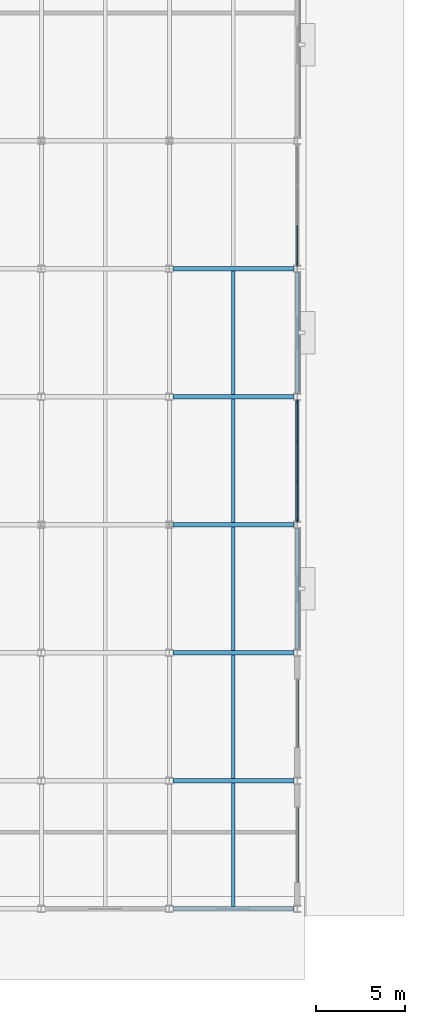
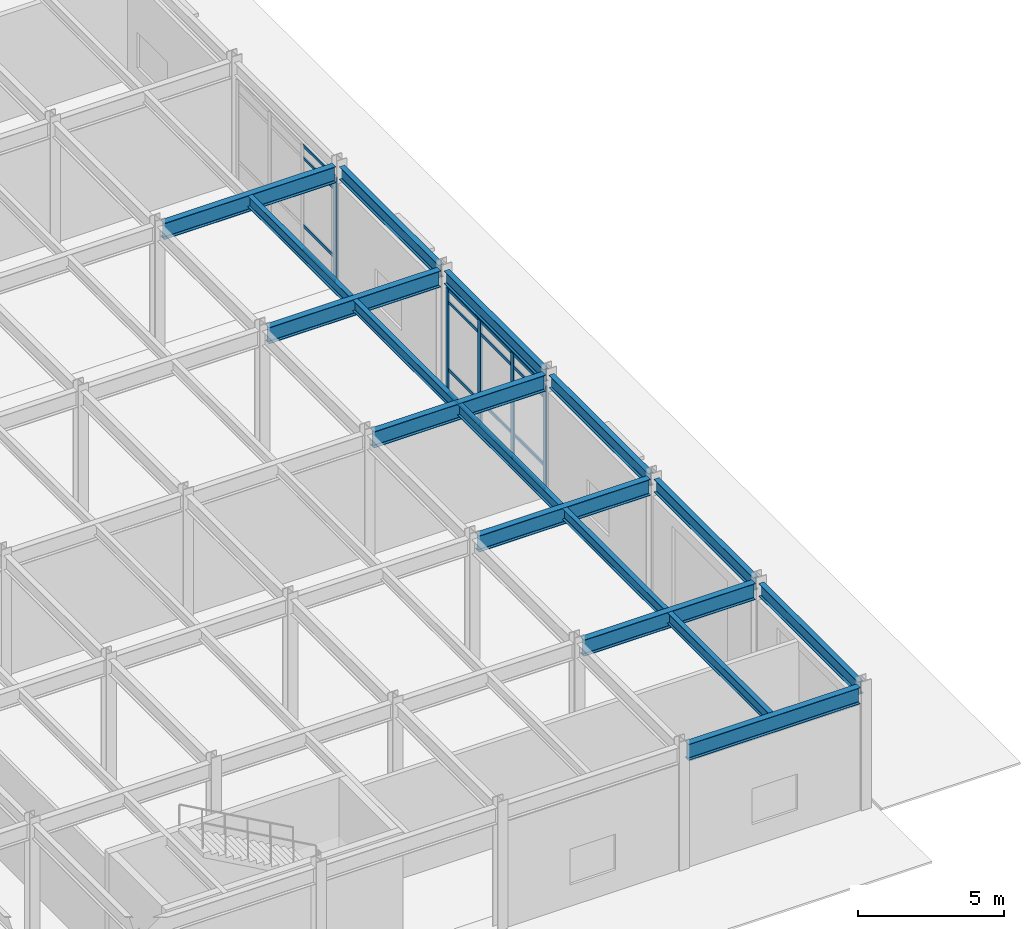
# One storey, part 47 of 104: 21 members, 16 beams, 2 elements without a shape of their own.
"""IFC4 building model written with IfcOpenShell, lengths in metres."""

from ifc_helpers import new_model, si_unit, direction, frame, origin, origin_2d, place, context, subcontext, project, spatial, rectangle, i_section, extrude, material, material_profile, profile_set, type_object, element, aggregate, save


model = new_model("IFC4")

# Units and contexts
model_context = context("Model", 3, precision=1e-05, world=origin(), true_north=direction((0.0, 1.0)))
body_context = subcontext(model_context, "Body", "Model", "MODEL_VIEW")
ifc_project = project(units=[si_unit("LENGTHUNIT", "METRE"), si_unit("AREAUNIT", "SQUARE_METRE"), si_unit("VOLUMEUNIT", "CUBIC_METRE"), si_unit("PLANEANGLEUNIT", "RADIAN"), si_unit("MASSUNIT", "GRAM", prefix="KILO")], contexts=[model_context])

# Site, building, storey
site_placement = place(None, origin())
site = spatial("IfcSite", under=ifc_project, at=site_placement, CompositionType="ELEMENT")
building_placement = place(site_placement, origin())
building = spatial("IfcBuilding", under=site, at=building_placement, Name="Vaelcorin Mobility Hub", CompositionType="ELEMENT")
storey_placement = place(building_placement, origin())
storey = spatial("IfcBuildingStorey", under=building, at=storey_placement, Name="L00", CompositionType="ELEMENT", Elevation=0.0)

# Beams
ifc_material_1 = material(Name="Steel ASTM A992 Grade 50", Category="steel")
ifc_material_profile_1 = material_profile(ifc_material_1, i_section(OverallWidth=0.19091796875, OverallDepth=0.4599609375, WebThickness=0.010009765625, FlangeThickness=0.01611328125, FilletRadius=0.012939453125, at=origin_2d()), Name="W18X55")
ifc_profile_set_1 = profile_set([ifc_material_profile_1], Name="Steel ASTM A992 Grade 50")
beam_type_1 = type_object("IfcBeamType", Name="BM-W18X55", PredefinedType="JOIST", material=ifc_profile_set_1)
for number, where, z_axis, x_axis, name in (
    (1, (200.39990234375, 6.125, 4.909912109375), (0.0, 1.0, 0.0), (-1.0, 0.0, 0.0), "L00 Beam V5-L00-J-07-01-1"),
    (2, (200.39990234375, 13.324951171875, 4.909912109375), (0.0, 1.0, 0.0), (-1.0, 0.0, 0.0), "L00 Beam V5-L00-J-07-02-1"),
):
    element("IfcBeam", number, at=place(storey_placement, frame(where, z_axis=z_axis, x_axis=x_axis)), inside=storey, type_object=beam_type_1, Name=name, PredefinedType="JOIST", context=body_context, shape_type="SweptSolid", body=[
        extrude(i_section(OverallWidth=0.19091796875, OverallDepth=0.4599609375, WebThickness=0.010009765625, FlangeThickness=0.01611328125, FilletRadius=0.012939453125, at=origin_2d()), origin(), (0.0, 0.0, 1.0), 6.949951171875),
    ])
beam_1_placement = place(storey_placement, frame((200.39990234375, 20.52490234375, 4.909912109375), z_axis=(0.0, 1.0, 0.0), x_axis=(-1.0, 0.0, 0.0)))
element("IfcBeam", 3, at=beam_1_placement, inside=storey, type_object=beam_type_1, Name="L00 Beam V5-L00-J-07-03-1", PredefinedType="JOIST", context=body_context, shape_type="SweptSolid", body=[
    extrude(i_section(OverallWidth=0.19091796875, OverallDepth=0.4599609375, WebThickness=0.010009765625, FlangeThickness=0.01611328125, FilletRadius=0.012939453125, at=origin_2d()), origin(), (0.0, 0.0, 1.0), 6.9501953125),
])
for number, where, z_axis, x_axis, name in (
    (4, (200.39990234375, 27.72509765625, 4.909912109375), (0.0, 1.0, 0.0), (-1.0, 0.0, 0.0), "L00 Beam V5-L00-J-07-04-1"),
    (5, (200.39990234375, 34.925048828125, 4.909912109375), (0.0, 1.0, 0.0), (-1.0, 0.0, 0.0), "L00 Beam V5-L00-J-07-05-1"),
):
    element("IfcBeam", number, at=place(storey_placement, frame(where, z_axis=z_axis, x_axis=x_axis)), inside=storey, type_object=beam_type_1, Name=name, PredefinedType="JOIST", context=body_context, shape_type="SweptSolid", body=[
        extrude(i_section(OverallWidth=0.19091796875, OverallDepth=0.4599609375, WebThickness=0.010009765625, FlangeThickness=0.01611328125, FilletRadius=0.012939453125, at=origin_2d()), origin(), (0.0, 0.0, 1.0), 6.949951171875),
    ])
ifc_material_profile_2 = material_profile(ifc_material_1, i_section(OverallWidth=0.2099609375, OverallDepth=0.535888671875, WebThickness=0.010986328125, FlangeThickness=0.017333984375, FilletRadius=0.013916015625, at=origin_2d()), Name="W21X68")
ifc_profile_set_2 = profile_set([ifc_material_profile_2], Name="Steel ASTM A992 Grade 50")
beam_type_2 = type_object("IfcBeamType", Name="BM-W21X68", PredefinedType="SPANDREL", material=ifc_profile_set_2)
beam_2_placement = place(storey_placement, frame((204.0, 6.18798828125, 4.8720703125), z_axis=(0.0, 1.0, 0.0), x_axis=(-1.0, 0.0, 0.0)))
element("IfcBeam", 6, at=beam_2_placement, inside=storey, type_object=beam_type_2, Name="L00 Beam V5-L00-GY-08-01", PredefinedType="SPANDREL", context=body_context, shape_type="SweptSolid", body=[
    extrude(i_section(OverallWidth=0.2099609375, OverallDepth=0.535888671875, WebThickness=0.010986328125, FlangeThickness=0.017333984375, FilletRadius=0.013916015625, at=origin_2d()), origin(), (0.0, 0.0, 1.0), 6.823974609375),
])
beam_3_placement = place(storey_placement, frame((204.0, 13.387939453125, 4.8720703125), z_axis=(0.0, 1.0, 0.0), x_axis=(-1.0, 0.0, 0.0)))
element("IfcBeam", 7, at=beam_3_placement, inside=storey, type_object=beam_type_2, Name="L00 Beam V5-L00-GY-08-02", PredefinedType="SPANDREL", context=body_context, shape_type="SweptSolid", body=[
    extrude(i_section(OverallWidth=0.2099609375, OverallDepth=0.535888671875, WebThickness=0.010986328125, FlangeThickness=0.017333984375, FilletRadius=0.013916015625, at=origin_2d()), origin(), (0.0, 0.0, 1.0), 6.822998046875),
])
beam_4_placement = place(storey_placement, frame((204.0, 20.587890625, 4.8720703125), z_axis=(0.0, 1.0, 0.0), x_axis=(-1.0, 0.0, 0.0)))
element("IfcBeam", 8, at=beam_4_placement, inside=storey, type_object=beam_type_2, Name="L00 Beam V5-L00-GY-08-03", PredefinedType="SPANDREL", context=body_context, shape_type="SweptSolid", body=[
    extrude(i_section(OverallWidth=0.2099609375, OverallDepth=0.535888671875, WebThickness=0.010986328125, FlangeThickness=0.017333984375, FilletRadius=0.013916015625, at=origin_2d()), origin(), (0.0, 0.0, 1.0), 6.82421875),
])
beam_5_placement = place(storey_placement, frame((204.0, 27.7890625, 4.8720703125), z_axis=(0.0, 1.0, 0.0), x_axis=(-1.0, 0.0, 0.0)))
element("IfcBeam", 9, at=beam_5_placement, inside=storey, type_object=beam_type_2, Name="L00 Beam V5-L00-GY-08-04", PredefinedType="SPANDREL", context=body_context, shape_type="SweptSolid", body=[
    extrude(i_section(OverallWidth=0.2099609375, OverallDepth=0.535888671875, WebThickness=0.010986328125, FlangeThickness=0.017333984375, FilletRadius=0.013916015625, at=origin_2d()), origin(), (0.0, 0.0, 1.0), 6.822998046875),
])
beam_6_placement = place(storey_placement, frame((204.0, 34.988037109375, 4.8720703125), z_axis=(0.0, 1.0, 0.0), x_axis=(-1.0, 0.0, 0.0)))
element("IfcBeam", 10, at=beam_6_placement, inside=storey, type_object=beam_type_2, Name="L00 Beam V5-L00-GY-08-05", PredefinedType="SPANDREL", context=body_context, shape_type="SweptSolid", body=[
    extrude(i_section(OverallWidth=0.2099609375, OverallDepth=0.535888671875, WebThickness=0.010986328125, FlangeThickness=0.017333984375, FilletRadius=0.013916015625, at=origin_2d()), origin(), (0.0, 0.0, 1.0), 6.823974609375),
])
ifc_material_profile_3 = material_profile(ifc_material_1, i_section(OverallWidth=0.25390625, OverallDepth=0.68310546875, WebThickness=0.012451171875, FlangeThickness=0.018798828125, FilletRadius=0.01611328125, at=origin_2d()), Name="W27X94")
ifc_profile_set_3 = profile_set([ifc_material_profile_3], Name="Steel ASTM A992 Grade 50")
beam_type_3 = type_object("IfcBeamType", Name="BM-W27X94", PredefinedType="BEAM", material=ifc_profile_set_3)
for number, where, z_axis, x_axis, name in (
    (11, (196.99609375, 6.0, 4.798095703125), (1.0, 0.0, 0.0), (0.0, 1.0, 0.0), "L00 Beam V5-L00-GX-01-07"),
    (12, (196.99609375, 13.199951171875, 4.798095703125), (1.0, 0.0, 0.0), (0.0, 1.0, 0.0), "L00 Beam V5-L00-GX-02-07"),
    (13, (196.99609375, 20.39990234375, 4.798095703125), (1.0, 0.0, 0.0), (0.0, 1.0, 0.0), "L00 Beam V5-L00-GX-03-07"),
    (14, (196.99609375, 27.60009765625, 4.798095703125), (1.0, 0.0, 0.0), (0.0, 1.0, 0.0), "L00 Beam V5-L00-GX-04-07"),
    (15, (196.99609375, 34.800048828125, 4.798095703125), (1.0, 0.0, 0.0), (0.0, 1.0, 0.0), "L00 Beam V5-L00-GX-05-07"),
    (16, (196.99609375, 42.0, 4.798095703125), (1.0, 0.0, 0.0), (0.0, 1.0, 0.0), "L00 Beam V5-L00-GX-06-07"),
):
    element("IfcBeam", number, at=place(storey_placement, frame(where, z_axis=z_axis, x_axis=x_axis)), inside=storey, type_object=beam_type_3, Name=name, PredefinedType="BEAM", context=body_context, shape_type="SweptSolid", body=[
        extrude(i_section(OverallWidth=0.25390625, OverallDepth=0.68310546875, WebThickness=0.012451171875, FlangeThickness=0.018798828125, FilletRadius=0.01611328125, at=origin_2d()), origin(), (0.0, 0.0, 1.0), 6.807861328125),
    ])

# Curtain wall, members
ifc_material_2 = material(Name="Anodised aluminium 6063-T6", Category="aluminium")
curtain_wall_type = type_object("IfcCurtainWallType", Name="CW-MOB-A", PredefinedType="NOTDEFINED", material=ifc_material_2)
curtain_wall_1_placement = place(storey_placement, origin())
curtain_wall_1 = element("IfcCurtainWall", 17, at=curtain_wall_1_placement, inside=storey, type_object=curtain_wall_type, Name="L00 Curtain Wall CW-V5-L00-E-04", PredefinedType="NOTDEFINED")
ifc_material_profile_4 = material_profile(ifc_material_2, rectangle(XDim=0.070068359375, YDim=0.199951171875, at=origin_2d()), Name="ALU-M70X200")
ifc_profile_set_4 = profile_set([ifc_material_profile_4], Name="Anodised aluminium 6063-T6")
member_type_1 = type_object("IfcMemberType", Name="CW-MULL-200", PredefinedType="MULLION", material=ifc_profile_set_4)
member_1_placement = place(storey_placement, frame((204.0, 34.550048828125, 0.0), z_axis=(0.0, 0.0, 1.0), x_axis=(1.0, 0.0, 0.0)))
member_1 = element("IfcMember", 18, at=member_1_placement, type_object=member_type_1, Name="CW7 mullion 1", PredefinedType="MULLION", context=body_context, shape_type="SweptSolid", body=[
    extrude(rectangle(XDim=0.070068359375, YDim=0.199951171875, at=origin_2d()), origin(), (0.0, 0.0, 1.0), 4.44189453125),
])
member_2_placement = place(storey_placement, frame((204.0, 32.32666015625, 0.0), z_axis=(0.0, 0.0, 1.0), x_axis=(1.0, 0.0, 0.0)))
member_2 = element("IfcMember", 19, at=member_2_placement, type_object=member_type_1, Name="CW7 mullion 2", PredefinedType="MULLION", context=body_context, shape_type="SweptSolid", body=[
    extrude(rectangle(XDim=0.070068359375, YDim=0.199951171875, at=origin_2d()), origin(), (0.0, 0.0, 1.0), 4.44189453125),
])
member_3_placement = place(storey_placement, frame((204.0, 30.0732421875, 0.0), z_axis=(0.0, 0.0, 1.0), x_axis=(1.0, 0.0, 0.0)))
member_3 = element("IfcMember", 20, at=member_3_placement, type_object=member_type_1, Name="CW7 mullion 3", PredefinedType="MULLION", context=body_context, shape_type="SweptSolid", body=[
    extrude(rectangle(XDim=0.070068359375, YDim=0.199951171875, at=origin_2d()), origin(), (0.0, 0.0, 1.0), 4.44189453125),
])
member_4_placement = place(storey_placement, frame((204.0, 27.85009765625, 0.0), z_axis=(0.0, 0.0, 1.0), x_axis=(1.0, 0.0, 0.0)))
member_4 = element("IfcMember", 21, at=member_4_placement, type_object=member_type_1, Name="CW7 mullion 4", PredefinedType="MULLION", context=body_context, shape_type="SweptSolid", body=[
    extrude(rectangle(XDim=0.070068359375, YDim=0.199951171875, at=origin_2d()), origin(), (0.0, 0.0, 1.0), 4.44189453125),
])

# Curtain wall, member
curtain_wall_2_placement = place(storey_placement, origin())
curtain_wall_2 = element("IfcCurtainWall", 22, at=curtain_wall_2_placement, inside=storey, type_object=curtain_wall_type, Name="L00 Curtain Wall CW-V5-L00-E-06", PredefinedType="NOTDEFINED")
member_5_placement = place(storey_placement, frame((204.0, 42.25, 0.0), z_axis=(0.0, 0.0, 1.0), x_axis=(1.0, 0.0, 0.0)))
member_5 = element("IfcMember", 23, at=member_5_placement, type_object=member_type_1, Name="CW7 mullion 4", PredefinedType="MULLION", context=body_context, shape_type="SweptSolid", body=[
    extrude(rectangle(XDim=0.070068359375, YDim=0.199951171875, at=origin_2d()), origin(), (0.0, 0.0, 1.0), 4.44189453125),
])

# Member
ifc_material_profile_5 = material_profile(ifc_material_2, rectangle(XDim=0.06005859375, YDim=0.1201171875, at=origin_2d()), Name="ALU-T60X120")
ifc_profile_set_5 = profile_set([ifc_material_profile_5], Name="Anodised aluminium 6063-T6")
member_type_2 = type_object("IfcMemberType", Name="CW-TRAN-140", PredefinedType="USERDEFINED", material=ifc_profile_set_5)
member_6_placement = place(storey_placement, frame((204.0, 34.52001953125, 0.030029296875), z_axis=(0.0, -1.0, 0.0), x_axis=(1.0, 0.0, 0.0)))
member_6 = element("IfcMember", 24, at=member_6_placement, type_object=member_type_2, Name="CW7 transom 1.1", ObjectType="TRANSOM", PredefinedType="USERDEFINED", context=body_context, shape_type="SweptSolid", body=[
    extrude(rectangle(XDim=0.06005859375, YDim=0.1201171875, at=origin_2d()), origin(), (0.0, 0.0, 1.0), 2.163330078125),
])

member_7_placement = place(storey_placement, frame((204.0, 34.52001953125, 1.050048828125), z_axis=(0.0, -1.0, 0.0), x_axis=(1.0, 0.0, 0.0)))
member_7 = element("IfcMember", 25, at=member_7_placement, type_object=member_type_2, Name="CW7 transom 1.2", ObjectType="TRANSOM", PredefinedType="USERDEFINED", context=body_context, shape_type="SweptSolid", body=[
    extrude(rectangle(XDim=0.06005859375, YDim=0.1201171875, at=origin_2d()), origin(), (0.0, 0.0, 1.0), 2.163330078125),
])

member_8_placement = place(storey_placement, frame((204.0, 34.52001953125, 3.89208984375), z_axis=(0.0, -1.0, 0.0), x_axis=(1.0, 0.0, 0.0)))
member_8 = element("IfcMember", 26, at=member_8_placement, type_object=member_type_2, Name="CW7 transom 1.3", ObjectType="TRANSOM", PredefinedType="USERDEFINED", context=body_context, shape_type="SweptSolid", body=[
    extrude(rectangle(XDim=0.06005859375, YDim=0.1201171875, at=origin_2d()), origin(), (0.0, 0.0, 1.0), 2.163330078125),
])

member_9_placement = place(storey_placement, frame((204.0, 34.52001953125, 4.412109375), z_axis=(0.0, -1.0, 0.0), x_axis=(1.0, 0.0, 0.0)))
member_9 = element("IfcMember", 27, at=member_9_placement, type_object=member_type_2, Name="CW7 transom 1.4", ObjectType="TRANSOM", PredefinedType="USERDEFINED", context=body_context, shape_type="SweptSolid", body=[
    extrude(rectangle(XDim=0.06005859375, YDim=0.1201171875, at=origin_2d()), origin(), (0.0, 0.0, 1.0), 2.163330078125),
])

member_10_placement = place(storey_placement, frame((204.0, 32.296630859375, 0.030029296875), z_axis=(0.0, -1.0, 0.0), x_axis=(1.0, 0.0, 0.0)))
member_10 = element("IfcMember", 28, at=member_10_placement, type_object=member_type_2, Name="CW7 transom 2.1", ObjectType="TRANSOM", PredefinedType="USERDEFINED", context=body_context, shape_type="SweptSolid", body=[
    extrude(rectangle(XDim=0.06005859375, YDim=0.1201171875, at=origin_2d()), origin(), (0.0, 0.0, 1.0), 2.193359375),
])

member_11_placement = place(storey_placement, frame((204.0, 32.296630859375, 1.050048828125), z_axis=(0.0, -1.0, 0.0), x_axis=(1.0, 0.0, 0.0)))
member_11 = element("IfcMember", 29, at=member_11_placement, type_object=member_type_2, Name="CW7 transom 2.2", ObjectType="TRANSOM", PredefinedType="USERDEFINED", context=body_context, shape_type="SweptSolid", body=[
    extrude(rectangle(XDim=0.06005859375, YDim=0.1201171875, at=origin_2d()), origin(), (0.0, 0.0, 1.0), 2.193359375),
])

member_12_placement = place(storey_placement, frame((204.0, 32.296630859375, 3.89208984375), z_axis=(0.0, -1.0, 0.0), x_axis=(1.0, 0.0, 0.0)))
member_12 = element("IfcMember", 30, at=member_12_placement, type_object=member_type_2, Name="CW7 transom 2.3", ObjectType="TRANSOM", PredefinedType="USERDEFINED", context=body_context, shape_type="SweptSolid", body=[
    extrude(rectangle(XDim=0.06005859375, YDim=0.1201171875, at=origin_2d()), origin(), (0.0, 0.0, 1.0), 2.193359375),
])

member_13_placement = place(storey_placement, frame((204.0, 32.296630859375, 4.412109375), z_axis=(0.0, -1.0, 0.0), x_axis=(1.0, 0.0, 0.0)))
member_13 = element("IfcMember", 31, at=member_13_placement, type_object=member_type_2, Name="CW7 transom 2.4", ObjectType="TRANSOM", PredefinedType="USERDEFINED", context=body_context, shape_type="SweptSolid", body=[
    extrude(rectangle(XDim=0.06005859375, YDim=0.1201171875, at=origin_2d()), origin(), (0.0, 0.0, 1.0), 2.193359375),
])

member_14_placement = place(storey_placement, frame((204.0, 30.043212890625, 0.030029296875), z_axis=(0.0, -1.0, 0.0), x_axis=(1.0, 0.0, 0.0)))
member_14 = element("IfcMember", 32, at=member_14_placement, type_object=member_type_2, Name="CW7 transom 3.1", ObjectType="TRANSOM", PredefinedType="USERDEFINED", context=body_context, shape_type="SweptSolid", body=[
    extrude(rectangle(XDim=0.06005859375, YDim=0.1201171875, at=origin_2d()), origin(), (0.0, 0.0, 1.0), 2.163330078125),
])

member_15_placement = place(storey_placement, frame((204.0, 30.043212890625, 1.050048828125), z_axis=(0.0, -1.0, 0.0), x_axis=(1.0, 0.0, 0.0)))
member_15 = element("IfcMember", 33, at=member_15_placement, type_object=member_type_2, Name="CW7 transom 3.2", ObjectType="TRANSOM", PredefinedType="USERDEFINED", context=body_context, shape_type="SweptSolid", body=[
    extrude(rectangle(XDim=0.06005859375, YDim=0.1201171875, at=origin_2d()), origin(), (0.0, 0.0, 1.0), 2.163330078125),
])

member_16_placement = place(storey_placement, frame((204.0, 30.043212890625, 3.89208984375), z_axis=(0.0, -1.0, 0.0), x_axis=(1.0, 0.0, 0.0)))
member_16 = element("IfcMember", 34, at=member_16_placement, type_object=member_type_2, Name="CW7 transom 3.3", ObjectType="TRANSOM", PredefinedType="USERDEFINED", context=body_context, shape_type="SweptSolid", body=[
    extrude(rectangle(XDim=0.06005859375, YDim=0.1201171875, at=origin_2d()), origin(), (0.0, 0.0, 1.0), 2.163330078125),
])

member_17_placement = place(storey_placement, frame((204.0, 30.043212890625, 4.412109375), z_axis=(0.0, -1.0, 0.0), x_axis=(1.0, 0.0, 0.0)))
member_17 = element("IfcMember", 35, at=member_17_placement, type_object=member_type_2, Name="CW7 transom 3.4", ObjectType="TRANSOM", PredefinedType="USERDEFINED", context=body_context, shape_type="SweptSolid", body=[
    extrude(rectangle(XDim=0.06005859375, YDim=0.1201171875, at=origin_2d()), origin(), (0.0, 0.0, 1.0), 2.163330078125),
])

aggregate(curtain_wall_1, [member_1, member_2, member_3, member_4, member_6, member_7, member_8, member_9, member_10, member_11, member_12, member_13, member_14, member_15, member_16, member_17])

member_18_placement = place(storey_placement, frame((204.0, 44.443359375, 0.030029296875), z_axis=(0.0, -1.0, 0.0), x_axis=(1.0, 0.0, 0.0)))
member_18 = element("IfcMember", 36, at=member_18_placement, type_object=member_type_2, Name="CW7 transom 3.1", ObjectType="TRANSOM", PredefinedType="USERDEFINED", context=body_context, shape_type="SweptSolid", body=[
    extrude(rectangle(XDim=0.06005859375, YDim=0.1201171875, at=origin_2d()), origin(), (0.0, 0.0, 1.0), 2.163330078125),
])

member_19_placement = place(storey_placement, frame((204.0, 44.443359375, 1.050048828125), z_axis=(0.0, -1.0, 0.0), x_axis=(1.0, 0.0, 0.0)))
member_19 = element("IfcMember", 37, at=member_19_placement, type_object=member_type_2, Name="CW7 transom 3.2", ObjectType="TRANSOM", PredefinedType="USERDEFINED", context=body_context, shape_type="SweptSolid", body=[
    extrude(rectangle(XDim=0.06005859375, YDim=0.1201171875, at=origin_2d()), origin(), (0.0, 0.0, 1.0), 2.163330078125),
])

member_20_placement = place(storey_placement, frame((204.0, 44.443359375, 3.89208984375), z_axis=(0.0, -1.0, 0.0), x_axis=(1.0, 0.0, 0.0)))
member_20 = element("IfcMember", 38, at=member_20_placement, type_object=member_type_2, Name="CW7 transom 3.3", ObjectType="TRANSOM", PredefinedType="USERDEFINED", context=body_context, shape_type="SweptSolid", body=[
    extrude(rectangle(XDim=0.06005859375, YDim=0.1201171875, at=origin_2d()), origin(), (0.0, 0.0, 1.0), 2.163330078125),
])

member_21_placement = place(storey_placement, frame((204.0, 44.443359375, 4.412109375), z_axis=(0.0, -1.0, 0.0), x_axis=(1.0, 0.0, 0.0)))
member_21 = element("IfcMember", 39, at=member_21_placement, type_object=member_type_2, Name="CW7 transom 3.4", ObjectType="TRANSOM", PredefinedType="USERDEFINED", context=body_context, shape_type="SweptSolid", body=[
    extrude(rectangle(XDim=0.06005859375, YDim=0.1201171875, at=origin_2d()), origin(), (0.0, 0.0, 1.0), 2.163330078125),
])

aggregate(curtain_wall_2, [member_5, member_18, member_19, member_20, member_21])

save(model, "model.ifc")
